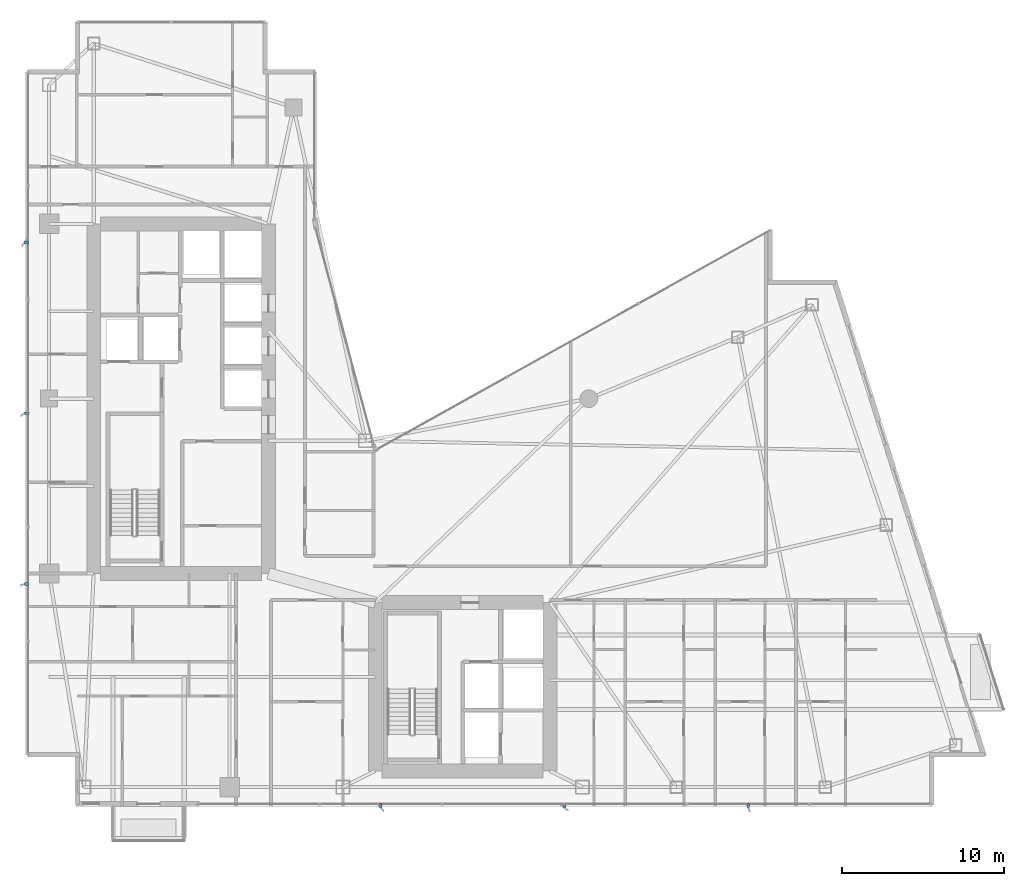
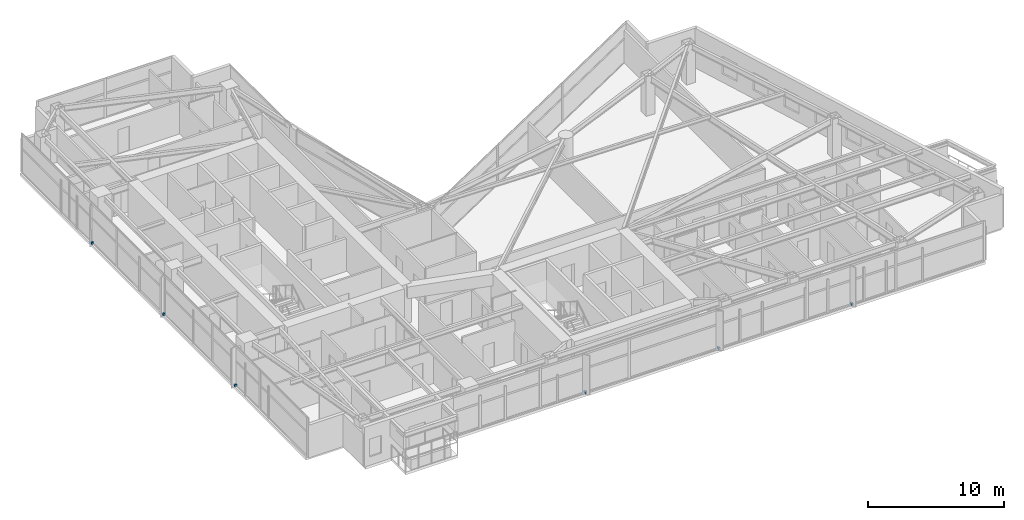
# One storey, part 27 of 29: 6 discrete accessories.
"""IFC4 building model written with IfcOpenShell, lengths in metres."""

from ifc_helpers import new_model, si_unit, direction, frame, origin, origin_2d, place, context, subcontext, project, spatial, rectangle, extrude, material, type_object, element, save


model = new_model("IFC4")

# Units and contexts
model_context = context("Model", 3, precision=1e-05, world=origin(), true_north=direction((0.0, 1.0)))
body_context = subcontext(model_context, "Body", "Model", "MODEL_VIEW")
ifc_project = project(units=[si_unit("LENGTHUNIT", "METRE"), si_unit("AREAUNIT", "SQUARE_METRE"), si_unit("VOLUMEUNIT", "CUBIC_METRE"), si_unit("PLANEANGLEUNIT", "RADIAN"), si_unit("MASSUNIT", "GRAM", prefix="KILO")], contexts=[model_context])

# Site, building, storey
site_placement = place(None, origin())
site = spatial("IfcSite", under=ifc_project, at=site_placement, CompositionType="ELEMENT")
building_placement = place(site_placement, origin())
building = spatial("IfcBuilding", under=site, at=building_placement, Name="Calvorn Quay Hotel", CompositionType="ELEMENT")
storey_placement = place(building_placement, frame((0.0, 0.0, 167.5)))
storey = spatial("IfcBuildingStorey", under=building, at=storey_placement, Name="L41", CompositionType="ELEMENT", Elevation=167.5)

# Discrete accessories
ifc_material = material(Name="Steel Q355B", Category="steel")
discrete_accessory_type = type_object("IfcDiscreteAccessoryType", Name="ACC-FIN-BRACKET", PredefinedType="BRACKET", material=ifc_material)
for number, where, z_axis, x_axis, name in (
    (1, (0.06005859375, 16.14990234375, 0.0302734375), (0.0, 0.0, 1.0), (1.0, 0.0, 0.0), "Fin Anchor Bracket L41-W01"),
    (2, (0.06005859375, 26.699951171875, 0.0302734375), (0.0, 0.0, 1.0), (1.0, 0.0, 0.0), "Fin Anchor Bracket L41-W02"),
    (3, (0.06005859375, 37.25, 0.0302734375), (0.0, 0.0, 1.0), (1.0, 0.0, 0.0), "Fin Anchor Bracket L41-W03"),
    (4, (21.949951171875, 2.4599609375, 0.0302734375), (0.0, 0.0, 1.0), (0.0, 1.0, 0.0), "Fin Anchor Bracket L41-S01"),
    (5, (33.300048828125, 2.4599609375, 0.0302734375), (0.0, 0.0, 1.0), (0.0, 1.0, 0.0), "Fin Anchor Bracket L41-S02"),
    (6, (44.64990234375, 2.4599609375, 0.0302734375), (0.0, 0.0, 1.0), (0.0, 1.0, 0.0), "Fin Anchor Bracket L41-S03"),
):
    element("IfcDiscreteAccessory", number, at=place(storey_placement, frame(where, z_axis=z_axis, x_axis=x_axis)), inside=storey, type_object=discrete_accessory_type, Name=name, PredefinedType="BRACKET", context=body_context, shape_type="SweptSolid", body=[
        extrude(rectangle(XDim=0.239990234375, YDim=0.159912109375, at=origin_2d()), origin(), (0.0, 0.0, 1.0), 0.179931640625),
    ])

save(model, "model.ifc")
